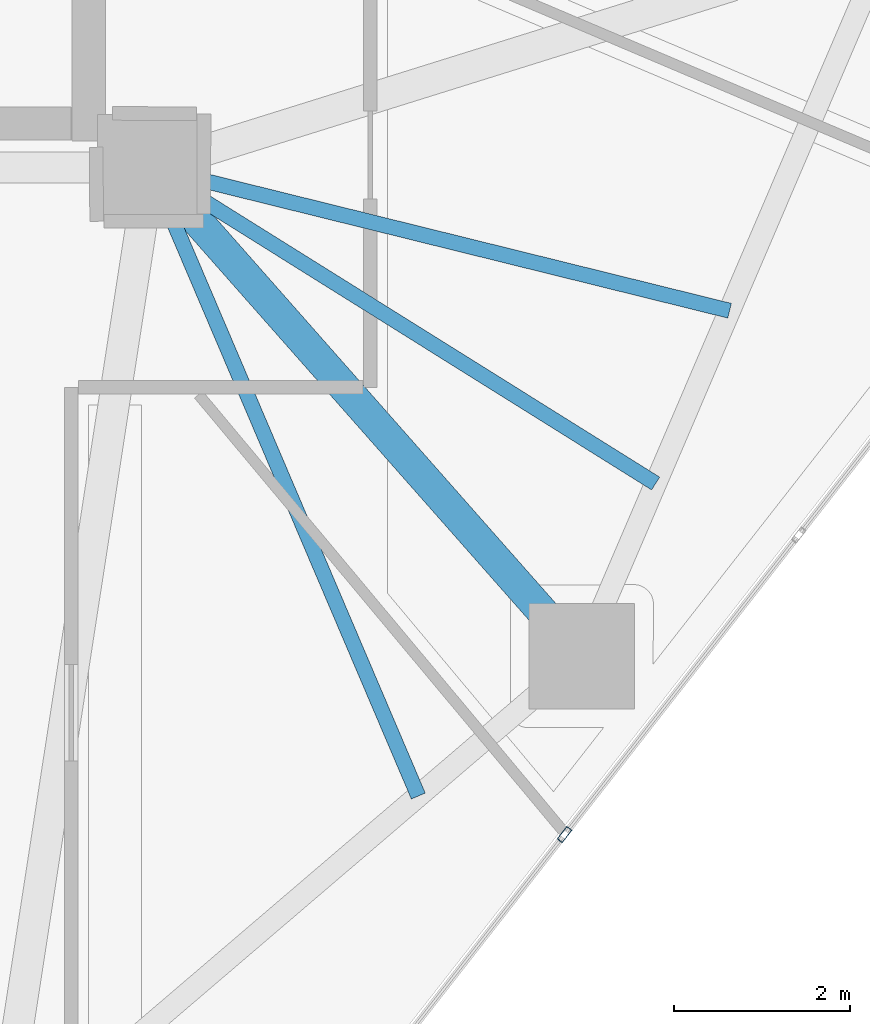
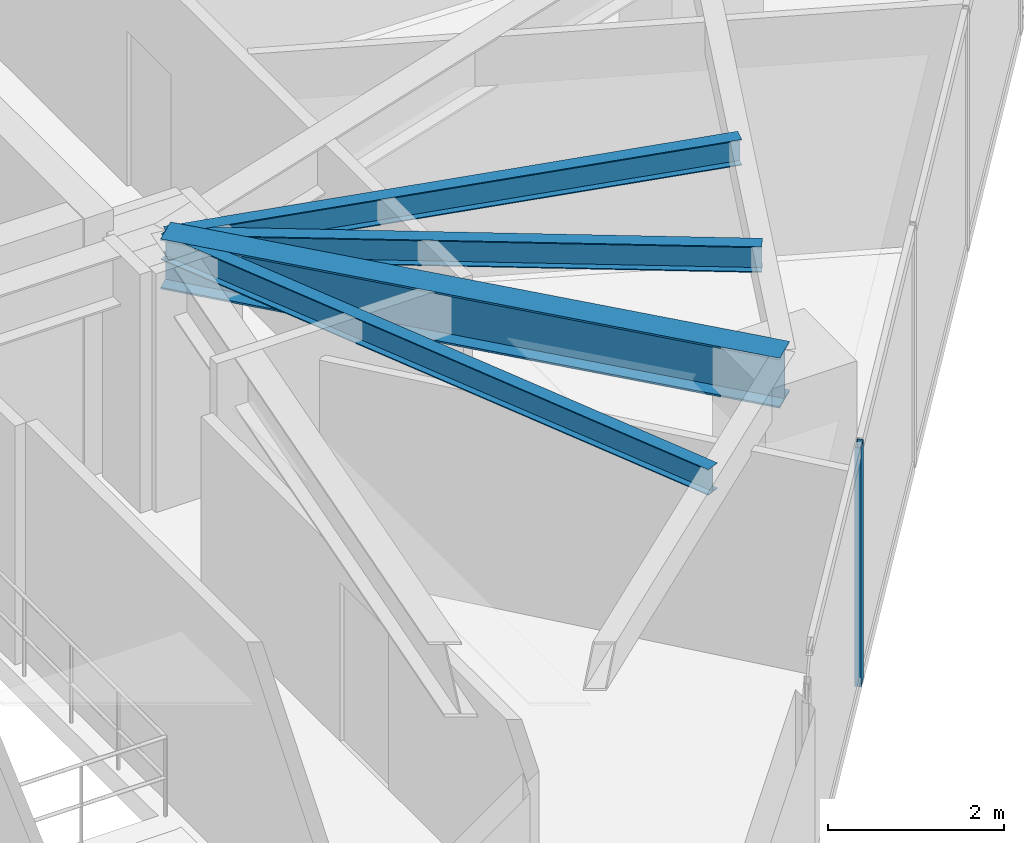
# One storey, part 8 of 24: 4 beams, 1 member, 1 element without a shape of its own.
"""IFC4 building model written with IfcOpenShell, lengths in metres."""

from ifc_helpers import new_model, si_unit, direction, frame, origin, origin_2d, place, context, subcontext, project, spatial, hollow_rectangle, i_section, extrude, source, transform, mapped, material, layer, layer_set, material_profile, profile_set, type_object, type_shapes, element, aggregate, save


model = new_model("IFC4")

# Units and contexts
model_context = context("Model", 3, precision=1e-05, world=origin(), true_north=direction((0.0, 1.0)))
body_context = subcontext(model_context, "Body", "Model", "MODEL_VIEW")
ifc_project = project(units=[si_unit("LENGTHUNIT", "METRE"), si_unit("AREAUNIT", "SQUARE_METRE"), si_unit("VOLUMEUNIT", "CUBIC_METRE"), si_unit("PLANEANGLEUNIT", "RADIAN"), si_unit("MASSUNIT", "GRAM", prefix="KILO")], contexts=[model_context])

# Site, building, storey
site_placement = place(None, origin())
site = spatial("IfcSite", under=ifc_project, at=site_placement, CompositionType="ELEMENT")
building_placement = place(site_placement, origin())
building = spatial("IfcBuilding", under=site, at=building_placement, Name="Talar Marvaseh", CompositionType="ELEMENT")
storey_placement = place(building_placement, frame((0.0, 0.0, 114.60009765625)))
storey = spatial("IfcBuildingStorey", under=building, at=storey_placement, Name="L29", CompositionType="ELEMENT", Elevation=114.60009765625)

# Beams
ifc_material_1 = material(Name="Steel S355", Category="steel")
ifc_material_profile_1 = material_profile(ifc_material_1, i_section(OverallWidth=0.35498046875, OverallDepth=0.695068359375, WebThickness=0.015380859375, FlangeThickness=0.02490234375, at=origin_2d()), Name="W690x217")
ifc_profile_set_1 = profile_set([ifc_material_profile_1], Name="Steel S355")
beam_type_1 = type_object("IfcBeamType", Name="Zone 2 Radial Floor Girder W690x217", PredefinedType="BEAM", material=ifc_profile_set_1)
beam_1_placement = place(storey_placement, frame((38.2060546875, 19.94091796875, 2.96240234375), z_axis=(-0.661692423388, 0.749775390921, 0.0), x_axis=(-0.749775390921, -0.661692423388, 0.0)))
element("IfcBeam", 1, at=beam_1_placement, inside=storey, type_object=beam_type_1, Name="L29 Zone 2 Radial Floor Girder W690x217", PredefinedType="BEAM", context=body_context, shape_type="SweptSolid", body=[
    extrude(i_section(OverallWidth=0.35498046875, OverallDepth=0.695068359375, WebThickness=0.015380859375, FlangeThickness=0.02490234375, at=origin_2d()), origin(), (0.0, 0.0, 1.0), 7.414306640625),
])
ifc_material_profile_2 = material_profile(ifc_material_1, i_section(OverallWidth=0.172119140625, OverallDepth=0.35791015625, WebThickness=0.0078125, FlangeThickness=0.01318359375, at=origin_2d()), Name="W360x57")
ifc_profile_set_2 = profile_set([ifc_material_profile_2], Name="Steel S355")
beam_type_2 = type_object("IfcBeamType", Name="Zone 2 Secondary Floor Joist W360x57", PredefinedType="JOIST", material=ifc_profile_set_2)
beam_2_placement = place(storey_placement, frame((39.887451171875, 23.870849609375, 3.130859375), z_axis=(-0.970753133019, 0.240079892396, 0.0), x_axis=(-0.240079892396, -0.970753133019, 0.0)))
element("IfcBeam", 2, at=beam_2_placement, inside=storey, type_object=beam_type_2, Name="L29 Zone 2 Secondary Floor Joist W360x57", PredefinedType="JOIST", context=body_context, shape_type="SweptSolid", body=[
    extrude(i_section(OverallWidth=0.172119140625, OverallDepth=0.35791015625, WebThickness=0.0078125, FlangeThickness=0.01318359375, at=origin_2d()), origin(), (0.0, 0.0, 1.0), 6.785888671875),
])
beam_3_placement = place(storey_placement, frame((39.046630859375, 21.906005859375, 3.130859375), z_axis=(-0.84784042564, 0.530251461715, 0.0), x_axis=(-0.530251461715, -0.84784042564, 0.0)))
element("IfcBeam", 3, at=beam_3_placement, inside=storey, type_object=beam_type_2, Name="L29 Zone 2 Secondary Floor Joist W360x57", PredefinedType="JOIST", context=body_context, shape_type="SweptSolid", body=[
    extrude(i_section(OverallWidth=0.172119140625, OverallDepth=0.35791015625, WebThickness=0.0078125, FlangeThickness=0.01318359375, at=origin_2d()), origin(), (0.0, 0.0, 1.0), 6.77783203125),
])
beam_4_placement = place(storey_placement, frame((36.347900390625, 18.3525390625, 3.130859375), z_axis=(-0.39225012708, 0.919858596636, 0.0), x_axis=(-0.919858596636, -0.39225012708, 0.0)))
element("IfcBeam", 4, at=beam_4_placement, inside=storey, type_object=beam_type_2, Name="L29 Zone 2 Secondary Floor Joist W360x57", PredefinedType="JOIST", context=body_context, shape_type="SweptSolid", body=[
    extrude(i_section(OverallWidth=0.172119140625, OverallDepth=0.35791015625, WebThickness=0.0078125, FlangeThickness=0.01318359375, at=origin_2d()), origin(), (0.0, 0.0, 1.0), 7.770263671875),
])

# Curtain wall, member
ifc_material_2 = material(Name="Architectural Aluminium", Category="aluminium")
ifc_layer = layer(ifc_material_2, 0.199951171875)
ifc_layer_set = layer_set([ifc_layer], Name="Architectural Aluminium")
curtain_wall_type = type_object("IfcCurtainWallType", Name="Unitised Acoustic Library Curtain Wall Z2", PredefinedType="NOTDEFINED", material=ifc_layer_set)
curtain_wall_placement = place(storey_placement, origin())
curtain_wall = element("IfcCurtainWall", 5, at=curtain_wall_placement, inside=storey, type_object=curtain_wall_type, Name="L29 Unitised Acoustic Library Curtain Wall Z2", PredefinedType="NOTDEFINED")
ifc_material_profile_3 = material_profile(ifc_material_2, hollow_rectangle(XDim=0.074951171875, YDim=0.179931640625, WallThickness=0.0048828125, at=origin_2d()), Name="RHS180x75x5")
ifc_profile_set_3 = profile_set([ifc_material_profile_3], Name="Architectural Aluminium")
member_type = type_object("IfcMemberType", Name="Unitised Curtain Wall Standard Mullion RHS180x75x5", PredefinedType="MULLION", material=ifc_profile_set_3)
shared_shape = source(origin(), body_context, "Body", "SweptSolid", [
    extrude(hollow_rectangle(XDim=0.074951171875, YDim=0.179931640625, WallThickness=0.0048828125, at=origin_2d()), origin(), (0.0, 0.0, 1.0), 3.309814453125),
])
type_shapes(member_type, [shared_shape])
member_placement = place(storey_placement, frame((38.01123046875, 17.9140625, 0.0), z_axis=(0.0, 0.0, 1.0), x_axis=(0.787915588134, -0.615783262175, 0.0)))
member = element("IfcMember", 6, at=member_placement, type_object=member_type, Name="CW-Z2 mullion 5", PredefinedType="MULLION", context=body_context, shape_type="MappedRepresentation", body=[
    mapped(shared_shape, transform((0.0, 0.0, 0.0), x_axis=(1.0, 0.0, 0.0), y_axis=(0.0, 1.0, 0.0), z_axis=(0.0, 0.0, 1.0), scale=1.0)),
])
aggregate(curtain_wall, [member])

save(model, "model.ifc")
